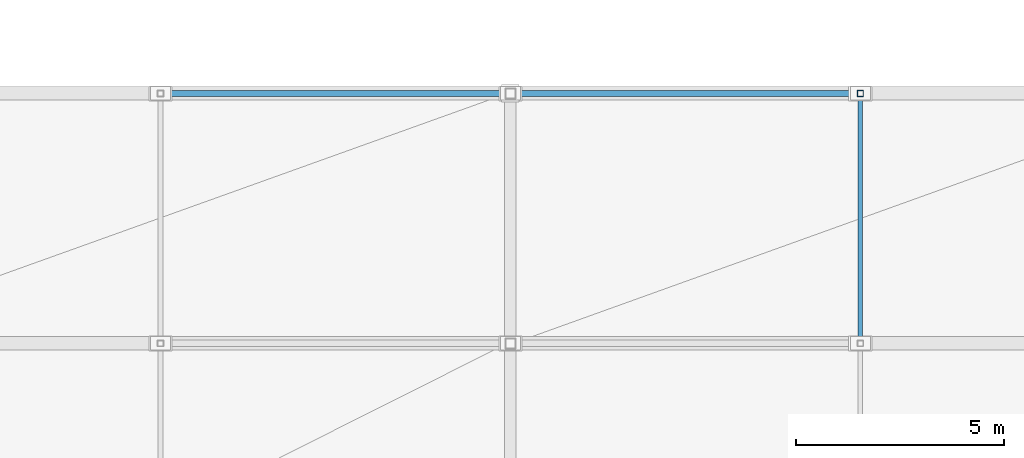
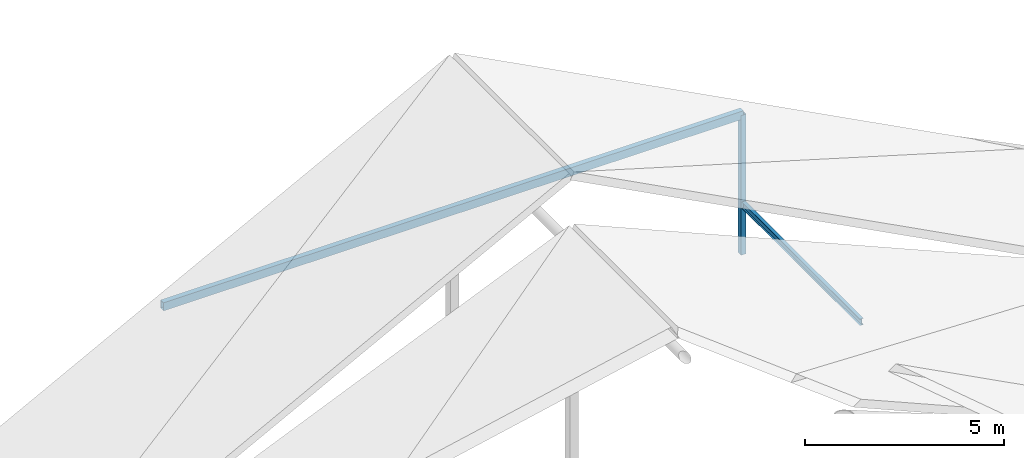
# One storey, part 38 of 76: 3 members.
"""IFC4 building model written with IfcOpenShell, lengths in metres."""

from ifc_helpers import new_model, si_unit, direction, frame, origin, origin_2d, place, context, subcontext, project, spatial, hollow_rectangle, i_section, extrude, material, material_profile, profile_set, type_object, element, save


model = new_model("IFC4")

# Units and contexts
model_context = context("Model", 3, precision=1e-05, world=origin(), true_north=direction((0.0, 1.0)))
body_context = subcontext(model_context, "Body", "Model", "MODEL_VIEW")
ifc_project = project(units=[si_unit("LENGTHUNIT", "METRE"), si_unit("AREAUNIT", "SQUARE_METRE"), si_unit("VOLUMEUNIT", "CUBIC_METRE"), si_unit("PLANEANGLEUNIT", "RADIAN"), si_unit("MASSUNIT", "GRAM", prefix="KILO")], contexts=[model_context])

# Site, building, storey
site_placement = place(None, origin())
site = spatial("IfcSite", under=ifc_project, at=site_placement, CompositionType="ELEMENT")
building_placement = place(site_placement, origin())
building = spatial("IfcBuilding", under=site, at=building_placement, Name="Krzemoval Escarpment Law Courts", CompositionType="ELEMENT")
storey_placement = place(building_placement, frame((0.0, 0.0, 20.39990234375)))
storey = spatial("IfcBuildingStorey", under=building, at=storey_placement, Name="L04", CompositionType="ELEMENT", Elevation=20.39990234375)

# Members
ifc_material_1 = material(Name="Steel S355", Category="steel")
ifc_material_profile_1 = material_profile(ifc_material_1, hollow_rectangle(XDim=0.14990234375, YDim=0.25, WallThickness=0.010009765625, at=origin_2d()), Name="RHS 250x150x10")
ifc_profile_set_1 = profile_set([ifc_material_profile_1], Name="Steel S355")
member_type_1 = type_object("IfcMemberType", Name="MBR-COL-RHS250", PredefinedType="COLLAR", material=ifc_profile_set_1)
member_1_placement = place(storey_placement, frame((16.800048828125, 99.60009765625, 4.0), z_axis=(1.0, 0.0, 0.0), x_axis=(0.0, 1.0, 0.0)))
element("IfcMember", 1, at=member_1_placement, inside=storey, type_object=member_type_1, Name="Roof Collar Tie CL-0054", PredefinedType="COLLAR", context=body_context, shape_type="SweptSolid", body=[
    extrude(hollow_rectangle(XDim=0.14990234375, YDim=0.25, WallThickness=0.010009765625, at=origin_2d()), origin(), (0.0, 0.0, 1.0), 16.800048828125),
])
ifc_material_2 = material(Name="Steel S355", Category="steel")
ifc_material_profile_2 = material_profile(ifc_material_2, i_section(OverallWidth=0.10009765625, OverallDepth=0.199951171875, WebThickness=0.005615234375, FlangeThickness=0.008544921875, at=origin_2d()), Name="IPE 200")
ifc_profile_set_2 = profile_set([ifc_material_profile_2], Name="Steel S355")
member_type_2 = type_object("IfcMemberType", Name="MBR-PUR-IPE200", PredefinedType="PURLIN", material=ifc_profile_set_2)
member_2_placement = place(storey_placement, frame((33.60009765625, 93.60009765625, 1.25), z_axis=(0.0, 1.0, 0.0), x_axis=(-1.0, 0.0, 0.0)))
element("IfcMember", 2, at=member_2_placement, inside=storey, type_object=member_type_2, Name="Roof Purlin PR-0078", PredefinedType="PURLIN", context=body_context, shape_type="SweptSolid", body=[
    extrude(i_section(OverallWidth=0.10009765625, OverallDepth=0.199951171875, WebThickness=0.005615234375, FlangeThickness=0.008544921875, at=origin_2d()), origin(), (0.0, 0.0, 1.0), 6.0),
])
ifc_material_3 = material(Name="Steel S355", Category="steel")
ifc_material_profile_3 = material_profile(ifc_material_3, hollow_rectangle(XDim=0.14990234375, YDim=0.14990234375, WallThickness=0.008056640625, at=origin_2d()), Name="SHS 150x150x8")
ifc_profile_set_3 = profile_set([ifc_material_profile_3], Name="Steel S355")
member_type_3 = type_object("IfcMemberType", Name="MBR-STR-SHS150", PredefinedType="STRUT", material=ifc_profile_set_3)
member_3_placement = place(storey_placement, frame((33.60009765625, 99.60009765625, -0.27978515625), z_axis=(0.0, 0.0, 1.0), x_axis=(1.0, 0.0, 0.0)))
element("IfcMember", 3, at=member_3_placement, inside=storey, type_object=member_type_3, Name="Roof Truss Web Strut ST-0051", PredefinedType="STRUT", context=body_context, shape_type="SweptSolid", body=[
    extrude(hollow_rectangle(XDim=0.14990234375, YDim=0.14990234375, WallThickness=0.008056640625, at=origin_2d()), origin(), (0.0, 0.0, 1.0), 4.27978515625),
])

save(model, "model.ifc")
